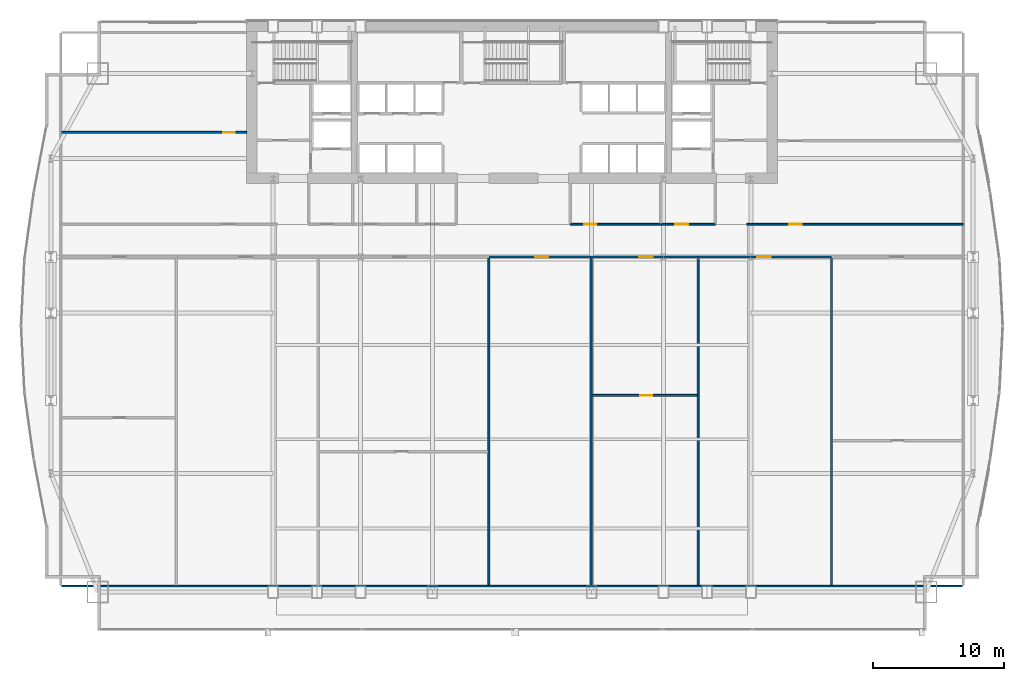
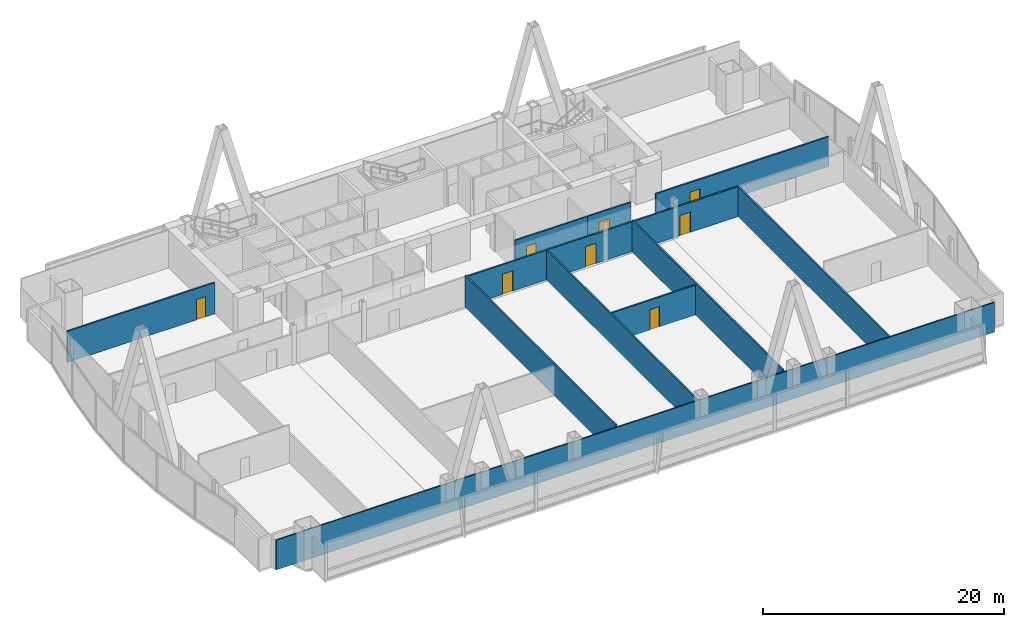
# One storey, part 31 of 37: 13 walls, 8 doors, 8 openings.
"""IFC4 building model written with IfcOpenShell, lengths in metres."""

from ifc_helpers import new_model, si_unit, direction, frame, frame_2d, origin, place, context, subcontext, project, spatial, rectangle, extrude, material, layer, layer_set, type_object, element, fill, save


model = new_model("IFC4")

# Units and contexts
model_context = context("Model", 3, precision=1e-05, world=origin(), true_north=direction((0.0, 1.0)))
body_context = subcontext(model_context, "Body", "Model", "MODEL_VIEW")
ifc_project = project(units=[si_unit("LENGTHUNIT", "METRE"), si_unit("AREAUNIT", "SQUARE_METRE"), si_unit("VOLUMEUNIT", "CUBIC_METRE"), si_unit("PLANEANGLEUNIT", "RADIAN"), si_unit("MASSUNIT", "GRAM", prefix="KILO")], contexts=[model_context])

# Site, building, storey
site_placement = place(None, origin())
site = spatial("IfcSite", under=ifc_project, at=site_placement, CompositionType="ELEMENT")
building_placement = place(site_placement, origin())
building = spatial("IfcBuilding", under=site, at=building_placement, Name="Khoronbel Lancet Exchange", CompositionType="ELEMENT")
storey_placement = place(building_placement, frame((0.0, 0.0, 61.800048828125)))
storey = spatial("IfcBuildingStorey", under=building, at=storey_placement, Name="L14", CompositionType="ELEMENT", Elevation=61.800048828125)

# Wall, opening, door
ifc_material_1 = material(Name="Acoustic Metal-Stud & Mineral-Wool Gypsum Partition 120 mm", Category="gypsum")
ifc_layer_1 = layer(ifc_material_1, 0.1201171875, Name="Acoustic Metal-Stud & Mineral-Wool Gypsum Partition 120 mm")
ifc_layer_set_1 = layer_set([ifc_layer_1], Name="Acoustic Metal-Stud & Mineral-Wool Gypsum Partition 120 mm")
wall_type_1 = type_object("IfcWallType", Name="WL-PRT120", PredefinedType="PARTITIONING", material=ifc_layer_set_1)
wall_1_placement = place(storey_placement, frame((2.094970703125, 45.199951171875, 0.0), z_axis=(0.0, 0.0, 1.0), x_axis=(1.0, 0.0, 0.0)))
wall_1 = element("IfcWall", 1, at=wall_1_placement, inside=storey, type_object=wall_type_1, Name="Level L14 interior partition PW-NW-H", PredefinedType="PARTITIONING", context=body_context, shape_type="SweptSolid", body=[
    extrude(rectangle(XDim=14.10498046875, YDim=0.14990234375, at=frame_2d((7.052490234375, 0.0))), origin(), (0.0, 0.0, 1.0), 3.159912109375),
])
opening_1_placement = place(wall_1_placement, frame((12.320068359375, 0.0, 0.0)))
opening_1 = element("IfcOpeningElement", 2, at=opening_1_placement, cuts=wall_1, Name="Opening D5", PredefinedType="OPENING", context=body_context, shape_type="SweptSolid", body=[
    extrude(rectangle(XDim=0.89990234375, YDim=2.050048828125, at=frame_2d((0.449951171875, 1.02490234375))), frame((0.0, 0.0849609375, 0.0), z_axis=(0.0, -1.0, 0.0), x_axis=(1.0, 0.0, 0.0)), (0.0, 0.0, 1.0), 0.169921875),
])
ifc_material_2 = material(Name="Acoustic Timber Pantry & Support Door", Category="wood")
door_type_1 = type_object("IfcDoorType", Name="DR-D5", OperationType="NOTDEFINED", PredefinedType="DOOR", material=ifc_material_2)
door_1_placement = place(opening_1_placement, origin())
door_1 = element("IfcDoor", 3, at=door_1_placement, inside=storey, type_object=door_type_1, Name="NW north room door L14-1", OperationType="SINGLE_SWING_LEFT", OverallHeight=2.050048828125, OverallWidth=0.89990234375, PredefinedType="DOOR", context=body_context, shape_type="SweptSolid", body=[
    extrude(rectangle(XDim=0.89990234375, YDim=2.050048828125, at=frame_2d((0.449951171875, 1.02490234375))), frame((0.0, 0.02490234375, 0.0), z_axis=(0.0, -1.0, 0.0), x_axis=(1.0, 0.0, 0.0)), (0.0, 0.0, 1.0), 0.050048828125),
])
fill(opening_1, door_1)

wall_2_placement = place(storey_placement, frame((42.570556640625, 25.1484375, 0.0), z_axis=(0.0, 0.0, 1.0), x_axis=(1.0, 0.0, 0.0)))
wall_2 = element("IfcWall", 4, at=wall_2_placement, inside=storey, type_object=wall_type_1, Name="Level L14 interior partition PW-Z1S-H5", PredefinedType="PARTITIONING", context=body_context, shape_type="SweptSolid", body=[
    extrude(rectangle(XDim=8.002685546875, YDim=0.14990234375, at=frame_2d((4.00146484375, 0.0))), origin(), (0.0, 0.0, 1.0), 3.010009765625),
])
opening_2_placement = place(wall_2_placement, frame((3.673095703125, 0.0, 0.0)))
opening_2 = element("IfcOpeningElement", 5, at=opening_2_placement, cuts=wall_2, Name="Opening D5", PredefinedType="OPENING", context=body_context, shape_type="SweptSolid", body=[
    extrude(rectangle(XDim=0.89990234375, YDim=2.050048828125, at=frame_2d((0.449951171875, 1.02490234375))), frame((0.0, 0.0849609375, 0.0), z_axis=(0.0, -1.0, 0.0), x_axis=(1.0, 0.0, 0.0)), (0.0, 0.0, 1.0), 0.169921875),
])
door_2_placement = place(opening_2_placement, origin())
door_2 = element("IfcDoor", 6, at=door_2_placement, inside=storey, type_object=door_type_1, Name="Z1S inner door 5 L14-1", OperationType="SINGLE_SWING_RIGHT", OverallHeight=2.050048828125, OverallWidth=0.89990234375, PredefinedType="DOOR", context=body_context, shape_type="SweptSolid", body=[
    extrude(rectangle(XDim=0.89990234375, YDim=2.050048828125, at=frame_2d((0.449951171875, 1.02490234375))), frame((0.0, 0.02490234375, 0.0), z_axis=(0.0, -1.0, 0.0), x_axis=(1.0, 0.0, 0.0)), (0.0, 0.0, 1.0), 0.050048828125),
])
fill(opening_2, door_2)

# Wall
wall_3_placement = place(storey_placement, frame((2.094970703125, 10.60009765625, 0.0), z_axis=(0.0, 0.0, 1.0), x_axis=(1.0, 0.0, 0.0)))
element("IfcWall", 7, at=wall_3_placement, inside=storey, type_object=wall_type_1, Name="Level L14 interior partition PW-LIN-S", PredefinedType="PARTITIONING", context=body_context, shape_type="SweptSolid", body=[
    extrude(rectangle(XDim=68.7099609375, YDim=0.1201171875, at=frame_2d((34.35498046875, 0.0))), origin(), (0.0, 0.0, 1.0), 3.010009765625),
])

# Wall, opening, door
ifc_material_3 = material(Name="Fire-Rated Twin-Stud Acoustic Gypsum Partition 150 mm", Category="gypsum")
ifc_layer_2 = layer(ifc_material_3, 0.14990234375, Name="Fire-Rated Twin-Stud Acoustic Gypsum Partition 150 mm")
ifc_layer_set_2 = layer_set([ifc_layer_2], Name="Fire-Rated Twin-Stud Acoustic Gypsum Partition 150 mm")
wall_type_2 = type_object("IfcWallType", Name="WL-PRT150C", PredefinedType="PARTITIONING", material=ifc_layer_set_2)
wall_4_placement = place(storey_placement, frame((40.8798828125, 38.199951171875, 0.0), z_axis=(0.0, 0.0, 1.0), x_axis=(1.0, 0.0, 0.0)))
wall_4 = element("IfcWall", 8, at=wall_4_placement, inside=storey, type_object=wall_type_2, Name="Level L14 interior partition PW-NP-S1", PredefinedType="PARTITIONING", context=body_context, shape_type="SweptSolid", body=[
    extrude(rectangle(XDim=6.920166015625, YDim=0.14990234375, at=frame_2d((3.4599609375, 0.0))), origin(), (0.0, 0.0, 1.0), 3.010009765625),
])
opening_3_placement = place(wall_4_placement, frame((1.10009765625, 0.0, 0.0)))
opening_3 = element("IfcOpeningElement", 9, at=opening_3_placement, cuts=wall_4, Name="Opening D5", PredefinedType="OPENING", context=body_context, shape_type="SweptSolid", body=[
    extrude(rectangle(XDim=0.89990234375, YDim=2.050048828125, at=frame_2d((0.449951171875, 1.02490234375))), frame((0.0, 0.0849609375, 0.0), z_axis=(0.0, -1.0, 0.0), x_axis=(1.0, 0.0, 0.0)), (0.0, 0.0, 1.0), 0.169921875),
])
door_3_placement = place(opening_3_placement, origin())
door_3 = element("IfcDoor", 10, at=door_3_placement, inside=storey, type_object=door_type_1, Name="Floor refreshment pantry door L14-1", OperationType="SINGLE_SWING_LEFT", OverallHeight=2.050048828125, OverallWidth=0.89990234375, PredefinedType="DOOR", context=body_context, shape_type="SweptSolid", body=[
    extrude(rectangle(XDim=0.89990234375, YDim=2.050048828125, at=frame_2d((0.449951171875, 1.02490234375))), frame((0.0, 0.02490234375, 0.0), z_axis=(0.0, -1.0, 0.0), x_axis=(1.0, 0.0, 0.0)), (0.0, 0.0, 1.0), 0.050048828125),
])
fill(opening_3, door_3)

wall_5_placement = place(storey_placement, frame((47.800048828125, 38.199951171875, 0.0), z_axis=(0.0, 0.0, 1.0), x_axis=(1.0, 0.0, 0.0)))
wall_5 = element("IfcWall", 11, at=wall_5_placement, inside=storey, type_object=wall_type_2, Name="Level L14 interior partition PW-NP-S2", PredefinedType="PARTITIONING", context=body_context, shape_type="SweptSolid", body=[
    extrude(rectangle(XDim=4.14990234375, YDim=0.14990234375, at=frame_2d((2.074951171875, 0.0))), origin(), (0.0, 0.0, 1.0), 3.010009765625),
])
opening_4_placement = place(wall_5_placement, frame((1.10009765625, 0.0, 0.0)))
opening_4 = element("IfcOpeningElement", 12, at=opening_4_placement, cuts=wall_5, Name="Opening D2", PredefinedType="OPENING", context=body_context, shape_type="SweptSolid", body=[
    extrude(rectangle(XDim=1.0, YDim=2.050048828125, at=frame_2d((0.5, 1.02490234375))), frame((0.0, 0.0849609375, 0.0), z_axis=(0.0, -1.0, 0.0), x_axis=(1.0, 0.0, 0.0)), (0.0, 0.0, 1.0), 0.169921875),
])
ifc_material_4 = material(Name="Acoustic Veneered Timber & Bronze Frame Door", Category="wood")
door_type_2 = type_object("IfcDoorType", Name="DR-D2", OperationType="NOTDEFINED", PredefinedType="DOOR", material=ifc_material_4)
door_4_placement = place(opening_4_placement, origin())
door_4 = element("IfcDoor", 13, at=door_4_placement, inside=storey, type_object=door_type_2, Name="Floor store door L14-1", OperationType="SINGLE_SWING_RIGHT", OverallHeight=2.050048828125, OverallWidth=1.0, PredefinedType="DOOR", context=body_context, shape_type="SweptSolid", body=[
    extrude(rectangle(XDim=1.0, YDim=2.050048828125, at=frame_2d((0.5, 1.02490234375))), frame((0.0, 0.02490234375, 0.0), z_axis=(0.0, -1.0, 0.0), x_axis=(1.0, 0.0, 0.0)), (0.0, 0.0, 1.0), 0.050048828125),
])
fill(opening_4, door_4)

wall_6_placement = place(storey_placement, frame((54.35009765625, 38.199951171875, 0.0), z_axis=(0.0, 0.0, 1.0), x_axis=(1.0, 0.0, 0.0)))
wall_6 = element("IfcWall", 14, at=wall_6_placement, inside=storey, type_object=wall_type_2, Name="Level L14 interior partition PW-NE-S", PredefinedType="PARTITIONING", context=body_context, shape_type="SweptSolid", body=[
    extrude(rectangle(XDim=16.52001953125, YDim=0.14990234375, at=frame_2d((8.260009765625, 0.0))), origin(), (0.0, 0.0, 1.0), 3.010009765625),
])
opening_5_placement = place(wall_6_placement, frame((3.25, 0.0, 0.0)))
opening_5 = element("IfcOpeningElement", 15, at=opening_5_placement, cuts=wall_6, Name="Opening D1", PredefinedType="OPENING", context=body_context, shape_type="SweptSolid", body=[
    extrude(rectangle(XDim=0.949951171875, YDim=2.050048828125, at=frame_2d((0.47509765625, 1.02490234375))), frame((0.0, 0.0849609375, 0.0), z_axis=(0.0, -1.0, 0.0), x_axis=(1.0, 0.0, 0.0)), (0.0, 0.0, 1.0), 0.169921875),
])
door_type_3 = type_object("IfcDoorType", Name="DR-D1", OperationType="NOTDEFINED", PredefinedType="DOOR", material=ifc_material_4)
door_5_placement = place(opening_5_placement, origin())
door_5 = element("IfcDoor", 16, at=door_5_placement, inside=storey, type_object=door_type_3, Name="NE corner room door L14-1", OperationType="SINGLE_SWING_RIGHT", OverallHeight=2.050048828125, OverallWidth=0.949951171875, PredefinedType="DOOR", context=body_context, shape_type="SweptSolid", body=[
    extrude(rectangle(XDim=0.949951171875, YDim=2.050048828125, at=frame_2d((0.47509765625, 1.02490234375))), frame((0.0, 0.02490234375, 0.0), z_axis=(0.0, -1.0, 0.0), x_axis=(1.0, 0.0, 0.0)), (0.0, 0.0, 1.0), 0.050048828125),
])
fill(opening_5, door_5)

# Walls
wall_7_placement = place(storey_placement, frame((34.680419921875, 10.6650390625, 0.0), z_axis=(0.0, 0.0, 1.0), x_axis=(0.0, 1.0, 0.0)))
element("IfcWall", 17, at=wall_7_placement, inside=storey, type_object=wall_type_2, Name="Level L14 interior partition PW-Z1S-V3", PredefinedType="PARTITIONING", context=body_context, shape_type="SweptSolid", body=[
    extrude(rectangle(XDim=24.949951171875, YDim=0.14990234375, at=frame_2d((12.47509765625, 0.0))), origin(), (0.0, 0.0, 1.0), 3.2099609375),
])
wall_8_placement = place(storey_placement, frame((42.490478515625, 10.6650390625, 0.0), z_axis=(0.0, 0.0, 1.0), x_axis=(0.0, 1.0, 0.0)))
element("IfcWall", 18, at=wall_8_placement, inside=storey, type_object=wall_type_2, Name="Level L14 interior partition PW-Z1S-V4", PredefinedType="PARTITIONING", context=body_context, shape_type="SweptSolid", body=[
    extrude(rectangle(XDim=24.949951171875, YDim=0.14990234375, at=frame_2d((12.47509765625, 0.0))), origin(), (0.0, 0.0, 1.0), 3.010009765625),
])
wall_9_placement = place(storey_placement, frame((50.6533203125, 10.6650390625, 0.0), z_axis=(0.0, 0.0, 1.0), x_axis=(0.0, 1.0, 0.0)))
element("IfcWall", 19, at=wall_9_placement, inside=storey, type_object=wall_type_2, Name="Level L14 interior partition PW-Z1S-V5", PredefinedType="PARTITIONING", context=body_context, shape_type="SweptSolid", body=[
    extrude(rectangle(XDim=24.949951171875, YDim=0.14990234375, at=frame_2d((12.47509765625, 0.0))), origin(), (0.0, 0.0, 1.0), 3.2099609375),
])
wall_10_placement = place(storey_placement, frame((60.822509765625, 10.6650390625, 0.0), z_axis=(0.0, 0.0, 1.0), x_axis=(0.0, 1.0, 0.0)))
element("IfcWall", 20, at=wall_10_placement, inside=storey, type_object=wall_type_2, Name="Level L14 interior partition PW-Z1S-V6", PredefinedType="PARTITIONING", context=body_context, shape_type="SweptSolid", body=[
    extrude(rectangle(XDim=24.949951171875, YDim=0.14990234375, at=frame_2d((12.47509765625, 0.0))), origin(), (0.0, 0.0, 1.0), 3.010009765625),
])

# Wall, opening, door
ifc_material_5 = material(Name="Fire-Rated Twin-Stud Acoustic Gypsum Partition 160 mm", Category="gypsum")
ifc_layer_3 = layer(ifc_material_5, 0.159912109375, Name="Fire-Rated Twin-Stud Acoustic Gypsum Partition 160 mm")
ifc_layer_set_3 = layer_set([ifc_layer_3], Name="Fire-Rated Twin-Stud Acoustic Gypsum Partition 160 mm")
wall_type_3 = type_object("IfcWallType", Name="WL-PRT160C", PredefinedType="PARTITIONING", material=ifc_layer_set_3)
wall_11_placement = place(storey_placement, frame((34.680419921875, 35.699951171875, 0.0), z_axis=(0.0, 0.0, 1.0), x_axis=(1.0, 0.0, 0.0)))
wall_11 = element("IfcWall", 21, at=wall_11_placement, inside=storey, type_object=wall_type_3, Name="Level L14 interior partition PW-Z1S-COR4", PredefinedType="PARTITIONING", context=body_context, shape_type="SweptSolid", body=[
    extrude(rectangle(XDim=7.81005859375, YDim=0.159912109375, at=frame_2d((3.905029296875, 0.0))), origin(), (0.0, 0.0, 1.0), 3.010009765625),
])
opening_6_placement = place(wall_11_placement, frame((3.5302734375, 0.0, 0.0)))
opening_6 = element("IfcOpeningElement", 22, at=opening_6_placement, cuts=wall_11, Name="Opening D2", PredefinedType="OPENING", context=body_context, shape_type="SweptSolid", body=[
    extrude(rectangle(XDim=1.0, YDim=2.050048828125, at=frame_2d((0.5, 1.02490234375))), frame((0.0, 0.08984375, 0.0), z_axis=(0.0, -1.0, 0.0), x_axis=(1.0, 0.0, 0.0)), (0.0, 0.0, 1.0), 0.179931640625),
])
door_6_placement = place(opening_6_placement, origin())
door_6 = element("IfcDoor", 23, at=door_6_placement, inside=storey, type_object=door_type_2, Name="Z1S bay 4 door L14-1", OperationType="SINGLE_SWING_RIGHT", OverallHeight=2.050048828125, OverallWidth=1.0, PredefinedType="DOOR", context=body_context, shape_type="SweptSolid", body=[
    extrude(rectangle(XDim=1.0, YDim=2.050048828125, at=frame_2d((0.5, 1.02490234375))), frame((0.0, 0.02490234375, 0.0), z_axis=(0.0, -1.0, 0.0), x_axis=(1.0, 0.0, 0.0)), (0.0, 0.0, 1.0), 0.050048828125),
])
fill(opening_6, door_6)

wall_12_placement = place(storey_placement, frame((42.490478515625, 35.699951171875, 0.0), z_axis=(0.0, 0.0, 1.0), x_axis=(1.0, 0.0, 0.0)))
wall_12 = element("IfcWall", 24, at=wall_12_placement, inside=storey, type_object=wall_type_3, Name="Level L14 interior partition PW-Z1S-COR5", PredefinedType="PARTITIONING", context=body_context, shape_type="SweptSolid", body=[
    extrude(rectangle(XDim=8.162841796875, YDim=0.159912109375, at=frame_2d((4.08154296875, 0.0))), origin(), (0.0, 0.0, 1.0), 3.010009765625),
])
opening_7_placement = place(wall_12_placement, frame((3.67822265625, 0.0, 0.0)))
opening_7 = element("IfcOpeningElement", 25, at=opening_7_placement, cuts=wall_12, Name="Opening D2", PredefinedType="OPENING", context=body_context, shape_type="SweptSolid", body=[
    extrude(rectangle(XDim=1.0, YDim=2.050048828125, at=frame_2d((0.5, 1.02490234375))), frame((0.0, 0.08984375, 0.0), z_axis=(0.0, -1.0, 0.0), x_axis=(1.0, 0.0, 0.0)), (0.0, 0.0, 1.0), 0.179931640625),
])
door_7_placement = place(opening_7_placement, origin())
door_7 = element("IfcDoor", 26, at=door_7_placement, inside=storey, type_object=door_type_2, Name="Z1S bay 5 door L14-1", OperationType="SINGLE_SWING_LEFT", OverallHeight=2.050048828125, OverallWidth=1.0, PredefinedType="DOOR", context=body_context, shape_type="SweptSolid", body=[
    extrude(rectangle(XDim=1.0, YDim=2.050048828125, at=frame_2d((0.5, 1.02490234375))), frame((0.0, 0.02490234375, 0.0), z_axis=(0.0, -1.0, 0.0), x_axis=(1.0, 0.0, 0.0)), (0.0, 0.0, 1.0), 0.050048828125),
])
fill(opening_7, door_7)

wall_13_placement = place(storey_placement, frame((50.6533203125, 35.699951171875, 0.0), z_axis=(0.0, 0.0, 1.0), x_axis=(1.0, 0.0, 0.0)))
wall_13 = element("IfcWall", 27, at=wall_13_placement, inside=storey, type_object=wall_type_3, Name="Level L14 interior partition PW-Z1S-COR6", PredefinedType="PARTITIONING", context=body_context, shape_type="SweptSolid", body=[
    extrude(rectangle(XDim=10.169189453125, YDim=0.159912109375, at=frame_2d((5.08447265625, 0.0))), origin(), (0.0, 0.0, 1.0), 3.010009765625),
])
opening_8_placement = place(wall_13_placement, frame((4.52099609375, 0.0, 0.0)))
opening_8 = element("IfcOpeningElement", 28, at=opening_8_placement, cuts=wall_13, Name="Opening D2", PredefinedType="OPENING", context=body_context, shape_type="SweptSolid", body=[
    extrude(rectangle(XDim=1.0, YDim=2.050048828125, at=frame_2d((0.5, 1.02490234375))), frame((0.0, 0.08984375, 0.0), z_axis=(0.0, -1.0, 0.0), x_axis=(1.0, 0.0, 0.0)), (0.0, 0.0, 1.0), 0.179931640625),
])
door_8_placement = place(opening_8_placement, origin())
door_8 = element("IfcDoor", 29, at=door_8_placement, inside=storey, type_object=door_type_2, Name="Z1S bay 6 door L14-1", OperationType="SINGLE_SWING_LEFT", OverallHeight=2.050048828125, OverallWidth=1.0, PredefinedType="DOOR", context=body_context, shape_type="SweptSolid", body=[
    extrude(rectangle(XDim=1.0, YDim=2.050048828125, at=frame_2d((0.5, 1.02490234375))), frame((0.0, 0.02490234375, 0.0), z_axis=(0.0, -1.0, 0.0), x_axis=(1.0, 0.0, 0.0)), (0.0, 0.0, 1.0), 0.050048828125),
])
fill(opening_8, door_8)

save(model, "model.ifc")
